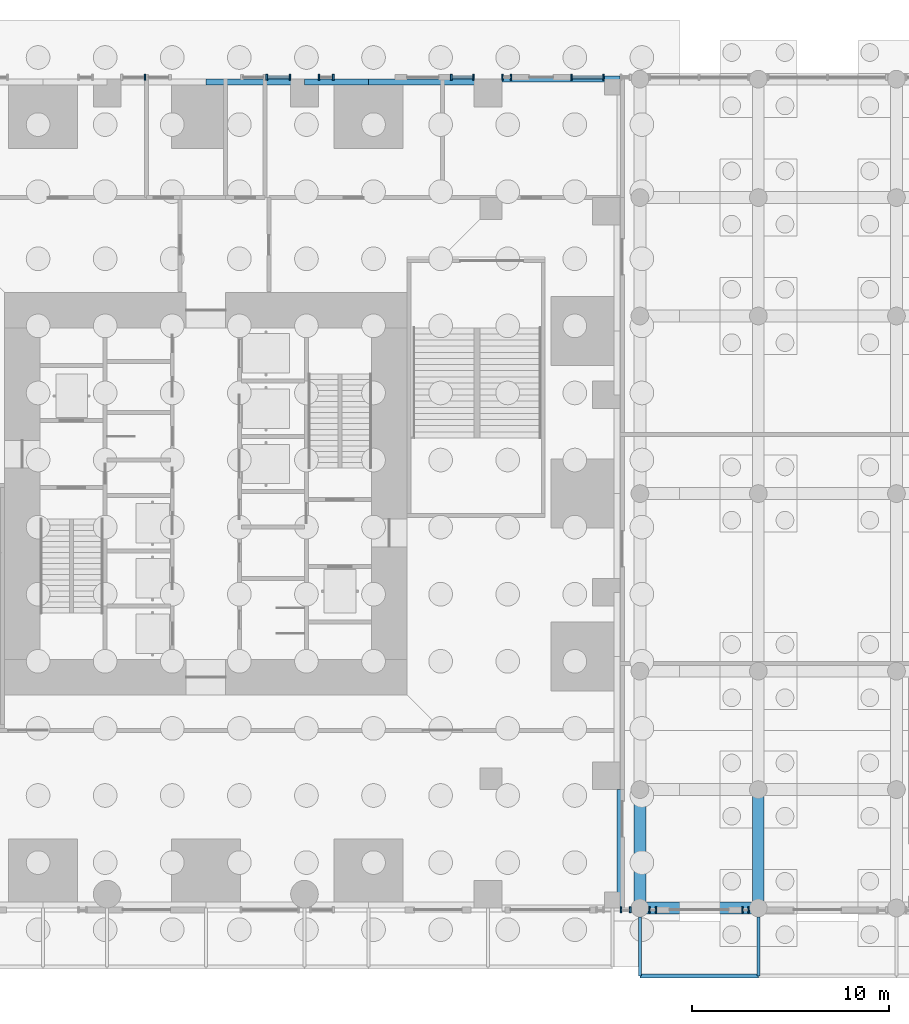
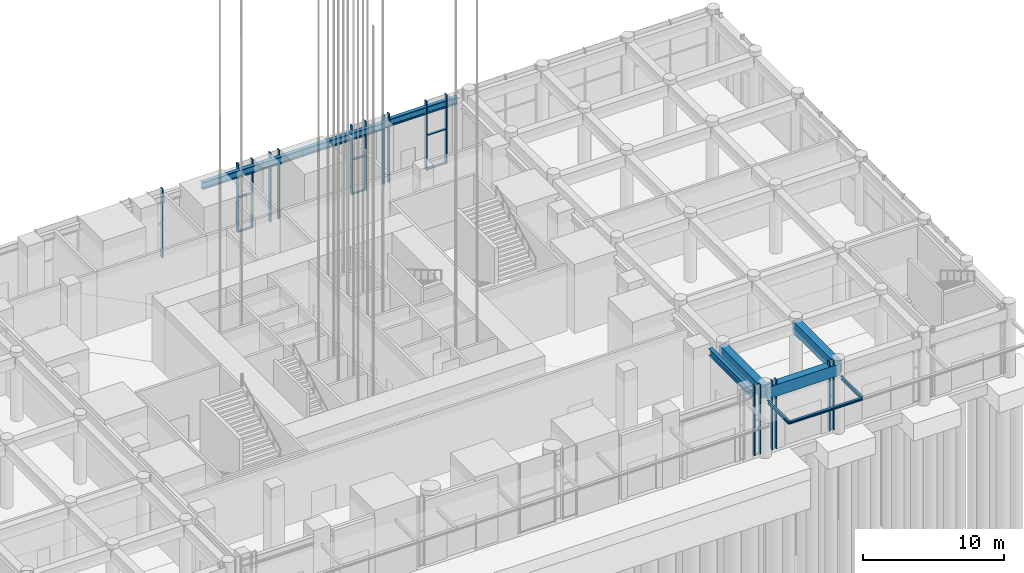
# One storey, part 8 of 46: 23 members, 11 beams, 9 elements without a shape of their own.
"""IFC4 building model written with IfcOpenShell, lengths in metres."""

from ifc_helpers import new_model, si_unit, direction, frame, origin, origin_2d, place, context, subcontext, project, spatial, rectangle, i_section, extrude, material, material_profile, profile_set, type_object, element, aggregate, save


model = new_model("IFC4")

# Units and contexts
model_context = context("Model", 3, precision=1e-05, world=origin(), true_north=direction((0.0, 1.0)))
body_context = subcontext(model_context, "Body", "Model", "MODEL_VIEW")
ifc_project = project(units=[si_unit("LENGTHUNIT", "METRE"), si_unit("AREAUNIT", "SQUARE_METRE"), si_unit("VOLUMEUNIT", "CUBIC_METRE"), si_unit("PLANEANGLEUNIT", "RADIAN"), si_unit("MASSUNIT", "GRAM", prefix="KILO")], contexts=[model_context])

# Site, building, storey
site_placement = place(None, origin())
site = spatial("IfcSite", under=ifc_project, at=site_placement, CompositionType="ELEMENT")
building_placement = place(site_placement, origin())
building = spatial("IfcBuilding", under=site, at=building_placement, Name="Svetlomir Tower", CompositionType="ELEMENT")
storey_placement = place(building_placement, origin())
storey = spatial("IfcBuildingStorey", under=building, at=storey_placement, Name="L00", CompositionType="ELEMENT", Elevation=0.0)

# Beams
ifc_material_1 = material(Name="Steel S355", Category="steel")
ifc_material_profile_1 = material_profile(ifc_material_1, i_section(OverallWidth=0.14990234375, OverallDepth=0.300048828125, WebThickness=0.007080078125, FlangeThickness=0.0107421875, FilletRadius=0.014892578125, at=origin_2d()), Name="IPE 300")
ifc_profile_set_1 = profile_set([ifc_material_profile_1], Name="Steel S355")
beam_type_1 = type_object("IfcBeamType", Name="CANOPY CANTILEVER IPE 300", PredefinedType="BEAM", material=ifc_profile_set_1)
for number, where, z_axis, x_axis, name in (
    (1, (43.0, -0.449951171875, 4.5), (0.0, -1.0, 0.0), (1.0, 0.0, 0.0), "Canopy cantilever 43"),
    (2, (49.0, -0.449951171875, 4.5), (0.0, -1.0, 0.0), (1.0, 0.0, 0.0), "Canopy cantilever 49"),
):
    element("IfcBeam", number, at=place(storey_placement, frame(where, z_axis=z_axis, x_axis=x_axis)), inside=storey, type_object=beam_type_1, Name=name, PredefinedType="BEAM", context=body_context, shape_type="SweptSolid", body=[
        extrude(i_section(OverallWidth=0.14990234375, OverallDepth=0.300048828125, WebThickness=0.007080078125, FlangeThickness=0.0107421875, FilletRadius=0.014892578125, at=origin_2d()), origin(), (0.0, 0.0, 1.0), 3.0),
    ])
ifc_material_2 = material(Name="Steel S355", Category="steel")
ifc_material_profile_2 = material_profile(ifc_material_2, i_section(OverallWidth=0.199951171875, OverallDepth=0.18994140625, WebThickness=0.006591796875, FlangeThickness=0.010009765625, FilletRadius=0.01806640625, at=origin_2d()), Name="HEA 200")
ifc_profile_set_2 = profile_set([ifc_material_profile_2], Name="Steel S355")
beam_type_2 = type_object("IfcBeamType", Name="CANOPY EDGE BEAM HEA 200", PredefinedType="BEAM", material=ifc_profile_set_2)
beam_1_placement = place(storey_placement, frame((43.0, -3.449951171875, 4.5), z_axis=(1.0, 0.0, 0.0), x_axis=(0.0, 1.0, 0.0)))
element("IfcBeam", 3, at=beam_1_placement, inside=storey, type_object=beam_type_2, Name="Canopy edge beam 43 to 49", PredefinedType="BEAM", context=body_context, shape_type="SweptSolid", body=[
    extrude(i_section(OverallWidth=0.199951171875, OverallDepth=0.18994140625, WebThickness=0.006591796875, FlangeThickness=0.010009765625, FilletRadius=0.01806640625, at=origin_2d()), origin(), (0.0, 0.0, 1.0), 6.0),
])

# Curtain wall, members
ifc_material_3 = material(Name="Bronze anodised aluminium curtain wall", Category="aluminium")
curtain_wall_type = type_object("IfcCurtainWallType", Name="CURTAIN WALL CW5 PODIUM", PredefinedType="NOTDEFINED", material=ifc_material_3)
curtain_wall_1_placement = place(storey_placement, origin())
curtain_wall_1 = element("IfcCurtainWall", 4, at=curtain_wall_1_placement, inside=storey, type_object=curtain_wall_type, Name="Curtain wall CW5 L00", PredefinedType="NOTDEFINED")
ifc_material_4 = material(Name="Bronze anodised aluminium", Category="aluminium")
ifc_material_profile_3 = material_profile(ifc_material_4, rectangle(XDim=0.080078125, YDim=0.300048828125, at=origin_2d()), Name="AL 80x300")
ifc_profile_set_3 = profile_set([ifc_material_profile_3], Name="Bronze anodised aluminium 6063-T6")
member_type_1 = type_object("IfcMemberType", Name="CW5 MULLION 80x300", PredefinedType="MULLION", material=ifc_profile_set_3)
member_1_placement = place(storey_placement, frame((42.0400390625, -0.10009765625, 0.0), z_axis=(0.0, 0.0, 1.0), x_axis=(1.0, 0.0, 0.0)))
member_1 = element("IfcMember", 5, at=member_1_placement, type_object=member_type_1, Name="CW5 mullion 1", PredefinedType="MULLION", context=body_context, shape_type="SweptSolid", body=[
    extrude(rectangle(XDim=0.080078125, YDim=0.300048828125, at=origin_2d()), origin(), (0.0, 0.0, 1.0), 6.0),
])
member_2_placement = place(storey_placement, frame((42.510009765625, -0.10009765625, 0.0), z_axis=(0.0, 0.0, 1.0), x_axis=(1.0, 0.0, 0.0)))
member_2 = element("IfcMember", 6, at=member_2_placement, type_object=member_type_1, Name="CW5 mullion 2", PredefinedType="MULLION", context=body_context, shape_type="SweptSolid", body=[
    extrude(rectangle(XDim=0.080078125, YDim=0.300048828125, at=origin_2d()), origin(), (0.0, 0.0, 1.0), 6.0),
])
aggregate(curtain_wall_1, [member_1, member_2])

curtain_wall_2_placement = place(storey_placement, origin())
curtain_wall_2 = element("IfcCurtainWall", 7, at=curtain_wall_2_placement, inside=storey, type_object=curtain_wall_type, Name="Curtain wall CW5 L00", PredefinedType="NOTDEFINED")
member_3_placement = place(storey_placement, frame((43.489990234375, -0.10009765625, 0.0), z_axis=(0.0, 0.0, 1.0), x_axis=(1.0, 0.0, 0.0)))
member_3 = element("IfcMember", 8, at=member_3_placement, type_object=member_type_1, Name="CW5 mullion 1", PredefinedType="MULLION", context=body_context, shape_type="SweptSolid", body=[
    extrude(rectangle(XDim=0.080078125, YDim=0.300048828125, at=origin_2d()), origin(), (0.0, 0.0, 1.0), 6.0),
])
member_4_placement = place(storey_placement, frame((43.81005859375, -0.10009765625, 0.0), z_axis=(0.0, 0.0, 1.0), x_axis=(1.0, 0.0, 0.0)))
member_4 = element("IfcMember", 9, at=member_4_placement, type_object=member_type_1, Name="CW5 mullion 2", PredefinedType="MULLION", context=body_context, shape_type="SweptSolid", body=[
    extrude(rectangle(XDim=0.080078125, YDim=0.300048828125, at=origin_2d()), origin(), (0.0, 0.0, 1.0), 6.0),
])
aggregate(curtain_wall_2, [member_3, member_4])

curtain_wall_3_placement = place(storey_placement, origin())
curtain_wall_3 = element("IfcCurtainWall", 10, at=curtain_wall_3_placement, inside=storey, type_object=curtain_wall_type, Name="Curtain wall CW5 L00", PredefinedType="NOTDEFINED")
member_5_placement = place(storey_placement, frame((48.18994140625, -0.10009765625, 0.0), z_axis=(0.0, 0.0, 1.0), x_axis=(1.0, 0.0, 0.0)))
member_5 = element("IfcMember", 11, at=member_5_placement, type_object=member_type_1, Name="CW5 mullion 1", PredefinedType="MULLION", context=body_context, shape_type="SweptSolid", body=[
    extrude(rectangle(XDim=0.080078125, YDim=0.300048828125, at=origin_2d()), origin(), (0.0, 0.0, 1.0), 6.0),
])
member_6_placement = place(storey_placement, frame((48.510009765625, -0.10009765625, 0.0), z_axis=(0.0, 0.0, 1.0), x_axis=(1.0, 0.0, 0.0)))
member_6 = element("IfcMember", 12, at=member_6_placement, type_object=member_type_1, Name="CW5 mullion 2", PredefinedType="MULLION", context=body_context, shape_type="SweptSolid", body=[
    extrude(rectangle(XDim=0.080078125, YDim=0.300048828125, at=origin_2d()), origin(), (0.0, 0.0, 1.0), 6.0),
])
aggregate(curtain_wall_3, [member_5, member_6])

curtain_wall_4_placement = place(storey_placement, origin())
curtain_wall_4 = element("IfcCurtainWall", 13, at=curtain_wall_4_placement, inside=storey, type_object=curtain_wall_type, Name="Curtain wall CW5 L00", PredefinedType="NOTDEFINED")
member_7_placement = place(storey_placement, frame((41.159912109375, 42.10009765625, 0.0), z_axis=(0.0, 0.0, 1.0), x_axis=(-1.0, 0.0, 0.0)))
member_7 = element("IfcMember", 14, at=member_7_placement, type_object=member_type_1, Name="CW5 mullion 1", PredefinedType="MULLION", context=body_context, shape_type="SweptSolid", body=[
    extrude(rectangle(XDim=0.080078125, YDim=0.300048828125, at=origin_2d()), origin(), (0.0, 0.0, 1.0), 6.0),
])
member_8_placement = place(storey_placement, frame((39.5400390625, 42.10009765625, 0.0), z_axis=(0.0, 0.0, 1.0), x_axis=(-1.0, 0.0, 0.0)))
member_8 = element("IfcMember", 15, at=member_8_placement, type_object=member_type_1, Name="CW5 mullion 2", PredefinedType="MULLION", context=body_context, shape_type="SweptSolid", body=[
    extrude(rectangle(XDim=0.080078125, YDim=0.300048828125, at=origin_2d()), origin(), (0.0, 0.0, 1.0), 6.0),
])

curtain_wall_5_placement = place(storey_placement, origin())
curtain_wall_5 = element("IfcCurtainWall", 16, at=curtain_wall_5_placement, inside=storey, type_object=curtain_wall_type, Name="Curtain wall CW5 L00", PredefinedType="NOTDEFINED")
member_9_placement = place(storey_placement, frame((36.4599609375, 42.10009765625, 0.0), z_axis=(0.0, 0.0, 1.0), x_axis=(-1.0, 0.0, 0.0)))
member_9 = element("IfcMember", 17, at=member_9_placement, type_object=member_type_1, Name="CW5 mullion 1", PredefinedType="MULLION", context=body_context, shape_type="SweptSolid", body=[
    extrude(rectangle(XDim=0.080078125, YDim=0.300048828125, at=origin_2d()), origin(), (0.0, 0.0, 1.0), 6.0),
])
member_10_placement = place(storey_placement, frame((36.0400390625, 42.10009765625, 0.0), z_axis=(0.0, 0.0, 1.0), x_axis=(-1.0, 0.0, 0.0)))
member_10 = element("IfcMember", 18, at=member_10_placement, type_object=member_type_1, Name="CW5 mullion 2", PredefinedType="MULLION", context=body_context, shape_type="SweptSolid", body=[
    extrude(rectangle(XDim=0.080078125, YDim=0.300048828125, at=origin_2d()), origin(), (0.0, 0.0, 1.0), 6.0),
])
aggregate(curtain_wall_5, [member_9, member_10])

curtain_wall_6_placement = place(storey_placement, origin())
curtain_wall_6 = element("IfcCurtainWall", 19, at=curtain_wall_6_placement, inside=storey, type_object=curtain_wall_type, Name="Curtain wall CW5 L00", PredefinedType="NOTDEFINED")
member_11_placement = place(storey_placement, frame((34.56005859375, 42.10009765625, 0.0), z_axis=(0.0, 0.0, 1.0), x_axis=(-1.0, 0.0, 0.0)))
member_11 = element("IfcMember", 20, at=member_11_placement, type_object=member_type_1, Name="CW5 mullion 1", PredefinedType="MULLION", context=body_context, shape_type="SweptSolid", body=[
    extrude(rectangle(XDim=0.080078125, YDim=0.300048828125, at=origin_2d()), origin(), (0.0, 0.0, 1.0), 6.0),
])
member_12_placement = place(storey_placement, frame((33.43994140625, 42.10009765625, 0.0), z_axis=(0.0, 0.0, 1.0), x_axis=(-1.0, 0.0, 0.0)))
member_12 = element("IfcMember", 21, at=member_12_placement, type_object=member_type_1, Name="CW5 mullion 2", PredefinedType="MULLION", context=body_context, shape_type="SweptSolid", body=[
    extrude(rectangle(XDim=0.080078125, YDim=0.300048828125, at=origin_2d()), origin(), (0.0, 0.0, 1.0), 6.0),
])

curtain_wall_7_placement = place(storey_placement, origin())
curtain_wall_7 = element("IfcCurtainWall", 22, at=curtain_wall_7_placement, inside=storey, type_object=curtain_wall_type, Name="Curtain wall CW5 L00", PredefinedType="NOTDEFINED")
member_13_placement = place(storey_placement, frame((27.4599609375, 42.10009765625, 0.0), z_axis=(0.0, 0.0, 1.0), x_axis=(-1.0, 0.0, 0.0)))
member_13 = element("IfcMember", 23, at=member_13_placement, type_object=member_type_1, Name="CW5 mullion 1", PredefinedType="MULLION", context=body_context, shape_type="SweptSolid", body=[
    extrude(rectangle(XDim=0.080078125, YDim=0.300048828125, at=origin_2d()), origin(), (0.0, 0.0, 1.0), 6.0),
])
member_14_placement = place(storey_placement, frame((26.739990234375, 42.10009765625, 0.0), z_axis=(0.0, 0.0, 1.0), x_axis=(-1.0, 0.0, 0.0)))
member_14 = element("IfcMember", 24, at=member_14_placement, type_object=member_type_1, Name="CW5 mullion 2", PredefinedType="MULLION", context=body_context, shape_type="SweptSolid", body=[
    extrude(rectangle(XDim=0.080078125, YDim=0.300048828125, at=origin_2d()), origin(), (0.0, 0.0, 1.0), 6.0),
])
aggregate(curtain_wall_7, [member_13, member_14])

curtain_wall_8_placement = place(storey_placement, origin())
curtain_wall_8 = element("IfcCurtainWall", 25, at=curtain_wall_8_placement, inside=storey, type_object=curtain_wall_type, Name="Curtain wall CW5 L00", PredefinedType="NOTDEFINED")
member_15_placement = place(storey_placement, frame((25.260009765625, 42.10009765625, 0.0), z_axis=(0.0, 0.0, 1.0), x_axis=(-1.0, 0.0, 0.0)))
member_15 = element("IfcMember", 26, at=member_15_placement, type_object=member_type_1, Name="CW5 mullion 1", PredefinedType="MULLION", context=body_context, shape_type="SweptSolid", body=[
    extrude(rectangle(XDim=0.080078125, YDim=0.300048828125, at=origin_2d()), origin(), (0.0, 0.0, 1.0), 6.0),
])
member_16_placement = place(storey_placement, frame((24.090087890625, 42.10009765625, 0.0), z_axis=(0.0, 0.0, 1.0), x_axis=(-1.0, 0.0, 0.0)))
member_16 = element("IfcMember", 27, at=member_16_placement, type_object=member_type_1, Name="CW5 mullion 2", PredefinedType="MULLION", context=body_context, shape_type="SweptSolid", body=[
    extrude(rectangle(XDim=0.080078125, YDim=0.300048828125, at=origin_2d()), origin(), (0.0, 0.0, 1.0), 6.0),
])

# Curtain wall, member
curtain_wall_9_placement = place(storey_placement, origin())
curtain_wall_9 = element("IfcCurtainWall", 28, at=curtain_wall_9_placement, inside=storey, type_object=curtain_wall_type, Name="Curtain wall CW5 L00", PredefinedType="NOTDEFINED")
member_17_placement = place(storey_placement, frame((17.909912109375, 42.10009765625, 0.0), z_axis=(0.0, 0.0, 1.0), x_axis=(-1.0, 0.0, 0.0)))
member_17 = element("IfcMember", 29, at=member_17_placement, type_object=member_type_1, Name="CW5 mullion 1", PredefinedType="MULLION", context=body_context, shape_type="SweptSolid", body=[
    extrude(rectangle(XDim=0.080078125, YDim=0.300048828125, at=origin_2d()), origin(), (0.0, 0.0, 1.0), 6.0),
])
aggregate(curtain_wall_9, [member_17])

# Member
ifc_material_5 = material(Name="Bronze anodised aluminium", Category="aluminium")
ifc_material_profile_4 = material_profile(ifc_material_5, rectangle(XDim=0.179931640625, YDim=0.080078125, at=origin_2d()), Name="AL 180x80")
ifc_profile_set_4 = profile_set([ifc_material_profile_4], Name="Bronze anodised aluminium 6063-T6")
member_type_2 = type_object("IfcMemberType", Name="CW5 TRANSOM 80x180", PredefinedType="USERDEFINED", material=ifc_profile_set_4)
member_18_placement = place(storey_placement, frame((41.1201171875, 42.10009765625, 0.0400390625), z_axis=(-1.0, 0.0, 0.0), x_axis=(0.0, -1.0, 0.0)))
member_18 = element("IfcMember", 30, at=member_18_placement, type_object=member_type_2, Name="CW5 transom 1.1", ObjectType="TRANSOM", PredefinedType="USERDEFINED", context=body_context, shape_type="SweptSolid", body=[
    extrude(rectangle(XDim=0.179931640625, YDim=0.080078125, at=origin_2d()), origin(), (0.0, 0.0, 1.0), 1.5400390625),
])

member_19_placement = place(storey_placement, frame((41.1201171875, 42.10009765625, 3.0), z_axis=(-1.0, 0.0, 0.0), x_axis=(0.0, -1.0, 0.0)))
member_19 = element("IfcMember", 31, at=member_19_placement, type_object=member_type_2, Name="CW5 transom 1.2", ObjectType="TRANSOM", PredefinedType="USERDEFINED", context=body_context, shape_type="SweptSolid", body=[
    extrude(rectangle(XDim=0.179931640625, YDim=0.080078125, at=origin_2d()), origin(), (0.0, 0.0, 1.0), 1.5400390625),
])

aggregate(curtain_wall_4, [member_7, member_8, member_18, member_19])

member_20_placement = place(storey_placement, frame((34.52001953125, 42.10009765625, 0.0400390625), z_axis=(-1.0, 0.0, 0.0), x_axis=(0.0, -1.0, 0.0)))
member_20 = element("IfcMember", 32, at=member_20_placement, type_object=member_type_2, Name="CW5 transom 1.1", ObjectType="TRANSOM", PredefinedType="USERDEFINED", context=body_context, shape_type="SweptSolid", body=[
    extrude(rectangle(XDim=0.179931640625, YDim=0.080078125, at=origin_2d()), origin(), (0.0, 0.0, 1.0), 1.0400390625),
])

member_21_placement = place(storey_placement, frame((34.52001953125, 42.10009765625, 3.0), z_axis=(-1.0, 0.0, 0.0), x_axis=(0.0, -1.0, 0.0)))
member_21 = element("IfcMember", 33, at=member_21_placement, type_object=member_type_2, Name="CW5 transom 1.2", ObjectType="TRANSOM", PredefinedType="USERDEFINED", context=body_context, shape_type="SweptSolid", body=[
    extrude(rectangle(XDim=0.179931640625, YDim=0.080078125, at=origin_2d()), origin(), (0.0, 0.0, 1.0), 1.0400390625),
])

aggregate(curtain_wall_6, [member_11, member_12, member_20, member_21])

member_22_placement = place(storey_placement, frame((25.219970703125, 42.10009765625, 0.0400390625), z_axis=(-1.0, 0.0, 0.0), x_axis=(0.0, -1.0, 0.0)))
member_22 = element("IfcMember", 34, at=member_22_placement, type_object=member_type_2, Name="CW5 transom 1.1", ObjectType="TRANSOM", PredefinedType="USERDEFINED", context=body_context, shape_type="SweptSolid", body=[
    extrude(rectangle(XDim=0.179931640625, YDim=0.080078125, at=origin_2d()), origin(), (0.0, 0.0, 1.0), 1.090087890625),
])

member_23_placement = place(storey_placement, frame((25.219970703125, 42.10009765625, 3.0), z_axis=(-1.0, 0.0, 0.0), x_axis=(0.0, -1.0, 0.0)))
member_23 = element("IfcMember", 35, at=member_23_placement, type_object=member_type_2, Name="CW5 transom 1.2", ObjectType="TRANSOM", PredefinedType="USERDEFINED", context=body_context, shape_type="SweptSolid", body=[
    extrude(rectangle(XDim=0.179931640625, YDim=0.080078125, at=origin_2d()), origin(), (0.0, 0.0, 1.0), 1.090087890625),
])

aggregate(curtain_wall_8, [member_15, member_16, member_22, member_23])

# Beams
ifc_material_6 = material(Name="Concrete C60/75", Category="concrete")
ifc_material_profile_5 = material_profile(ifc_material_6, rectangle(XDim=0.60009765625, YDim=1.0, at=origin_2d()), Name="RC 600x1000")
ifc_profile_set_5 = profile_set([ifc_material_profile_5], Name="Concrete C60/75")
beam_type_3 = type_object("IfcBeamType", Name="PODIUM BEAM RC 600x1000", PredefinedType="BEAM", material=ifc_profile_set_5)
for number, where, z_axis, x_axis, name in (
    (36, (43.0, 0.0, 5.10009765625), (0.0, 1.0, 0.0), (-1.0, 0.0, 0.0), "Podium beam 43/0 to 43/6 under L01"),
    (37, (43.0, 0.0, 5.10009765625), (1.0, 0.0, 0.0), (0.0, 1.0, 0.0), "Podium beam 43/0 to 49/0 under L01"),
    (38, (49.0, 0.0, 5.10009765625), (0.0, 1.0, 0.0), (-1.0, 0.0, 0.0), "Podium beam 49/0 to 49/6 under L01"),
):
    element("IfcBeam", number, at=place(storey_placement, frame(where, z_axis=z_axis, x_axis=x_axis)), inside=storey, type_object=beam_type_3, Name=name, PredefinedType="BEAM", context=body_context, shape_type="SweptSolid", body=[
        extrude(rectangle(XDim=0.60009765625, YDim=1.0, at=origin_2d()), origin(), (0.0, 0.0, 1.0), 6.0),
    ])
ifc_material_7 = material(Name="Steel S355", Category="steel")
ifc_material_profile_6 = material_profile(ifc_material_7, i_section(OverallWidth=0.304931640625, OverallDepth=0.6201171875, WebThickness=0.02099609375, FlangeThickness=0.0400390625, FilletRadius=0.027099609375, at=origin_2d()), Name="HEM 600")
ifc_profile_set_6 = profile_set([ifc_material_profile_6], Name="Steel S355")
beam_type_4 = type_object("IfcBeamType", Name="PODIUM EDGE BEAM HEM 600", PredefinedType="BEAM", material=ifc_profile_set_6)
beam_2_placement = place(storey_placement, frame((21.0, 41.847412109375, 5.2900390625), z_axis=(1.0, 0.0, 0.0), x_axis=(0.0, 1.0, 0.0)))
element("IfcBeam", 39, at=beam_2_placement, inside=storey, type_object=beam_type_4, Name="Podium beam 21/42 to 26/42 under L01", PredefinedType="BEAM", context=body_context, shape_type="SweptSolid", body=[
    extrude(i_section(OverallWidth=0.304931640625, OverallDepth=0.6201171875, WebThickness=0.02099609375, FlangeThickness=0.0400390625, FilletRadius=0.027099609375, at=origin_2d()), origin(), (0.0, 0.0, 1.0), 5.0),
])
beam_3_placement = place(storey_placement, frame((26.0, 41.847412109375, 5.2900390625), z_axis=(1.0, 0.0, 0.0), x_axis=(0.0, 1.0, 0.0)))
element("IfcBeam", 40, at=beam_3_placement, inside=storey, type_object=beam_type_4, Name="Podium beam 26/42 to 31/42 under L01", PredefinedType="BEAM", context=body_context, shape_type="SweptSolid", body=[
    extrude(i_section(OverallWidth=0.304931640625, OverallDepth=0.6201171875, WebThickness=0.02099609375, FlangeThickness=0.0400390625, FilletRadius=0.027099609375, at=origin_2d()), origin(), (0.0, 0.0, 1.0), 3.25),
])
beam_4_placement = place(storey_placement, frame((29.25, 41.847412109375, 5.2900390625), z_axis=(1.0, 0.0, 0.0), x_axis=(0.0, 1.0, 0.0)))
element("IfcBeam", 41, at=beam_4_placement, inside=storey, type_object=beam_type_4, Name="Podium beam 31/42 to 36/42 under L01", PredefinedType="BEAM", context=body_context, shape_type="SweptSolid", body=[
    extrude(i_section(OverallWidth=0.304931640625, OverallDepth=0.6201171875, WebThickness=0.02099609375, FlangeThickness=0.0400390625, FilletRadius=0.027099609375, at=origin_2d()), origin(), (0.0, 0.0, 1.0), 6.75),
])
for number, where, z_axis, x_axis, name in (
    (42, (36.0, 42.0, 5.2900390625), (1.0, 0.0, 0.0), (0.0, 1.0, 0.0), "Podium beam 36/42 to 42/42 under L01"),
    (43, (42.0, 0.0, 5.2900390625), (0.0, 1.0, 0.0), (-1.0, 0.0, 0.0), "Podium beam 42/0 to 42/6 under L01"),
):
    element("IfcBeam", number, at=place(storey_placement, frame(where, z_axis=z_axis, x_axis=x_axis)), inside=storey, type_object=beam_type_4, Name=name, PredefinedType="BEAM", context=body_context, shape_type="SweptSolid", body=[
        extrude(i_section(OverallWidth=0.304931640625, OverallDepth=0.6201171875, WebThickness=0.02099609375, FlangeThickness=0.0400390625, FilletRadius=0.027099609375, at=origin_2d()), origin(), (0.0, 0.0, 1.0), 6.0),
    ])

save(model, "model.ifc")
